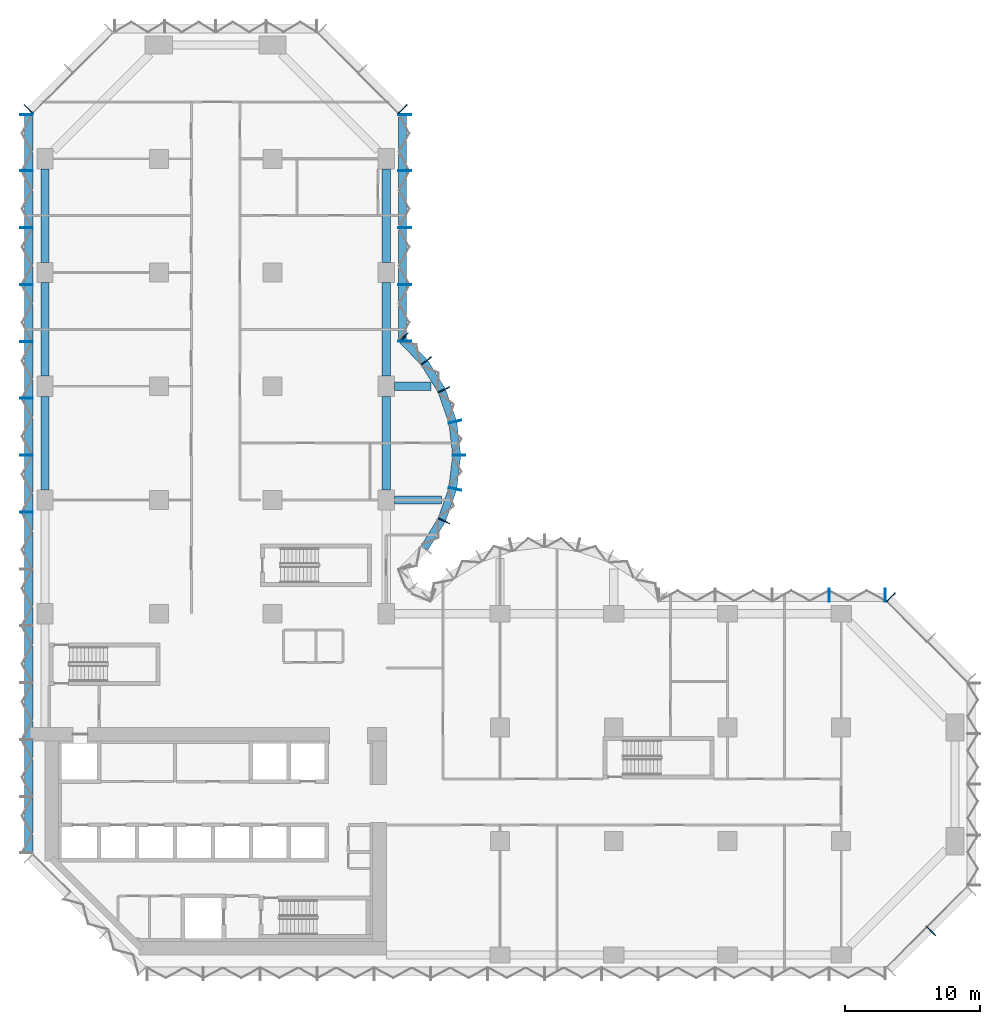
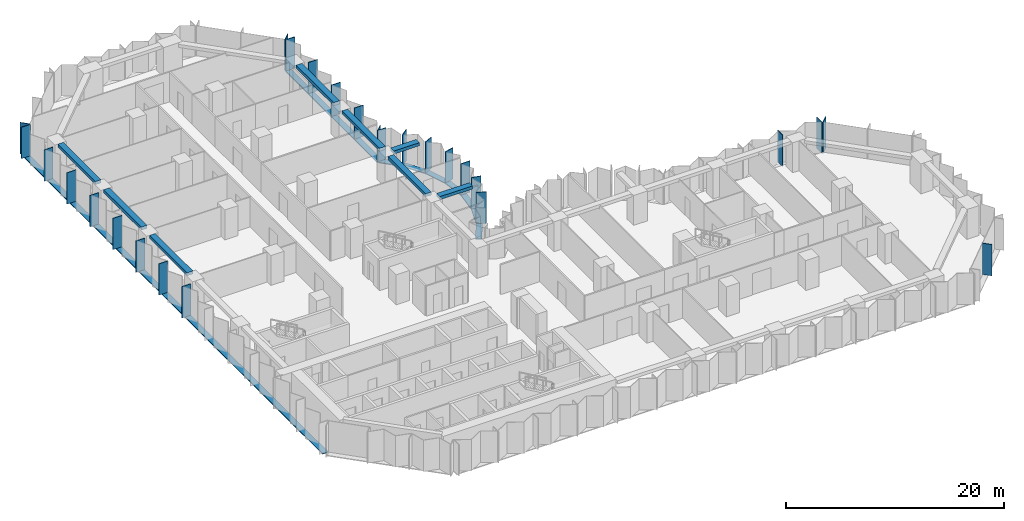
# One storey, part 3 of 15: 35 members, 8 beams, 8 elements without a shape of their own.
"""IFC4 building model written with IfcOpenShell, lengths in metres."""

import ifcopenshell
import ifcopenshell.guid

model = None  # the IFC model being written
_history = None  # IfcOwnerHistory: only IFC2X3 demands one
_inside = {}  # id of a spatial element -> (the spatial element, [elements in it])
_under = {}  # id of a project, library or spatial element -> (it, [spatial elements below it])
_declared = {}  # id of a project -> (the project, [libraries it declares])
_typed = {}  # id of a type object -> (the type object, [elements of that type])
_made_of = {}  # id of a material, layer set ... -> (it, [elements and type objects made of it])


def new_model(schema):
    """Start an empty IFC model of exactly this schema.

    Asked for "IFC4X3", IfcOpenShell would pick the latest addendum, in which some entities
    have other attributes; the version numbers below select the first issue.
    IFC2X3 requires an IfcOwnerHistory on every rooted entity: one is made here for all.
    """
    global model, _history
    if schema == "IFC4X3":
        model = ifcopenshell.file(schema_version=(4, 3, 0, 0))
    else:
        model = ifcopenshell.file(schema=schema)
    _inside.clear()
    _under.clear()
    _declared.clear()
    _typed.clear()
    _made_of.clear()
    _history = None
    if model.schema == "IFC2X3":
        org = make("IfcOrganization", Name="unknown")
        user = make(
            "IfcPersonAndOrganization",
            ThePerson=make("IfcPerson", FamilyName="unknown"),
            TheOrganization=org,
        )
        app = make(
            "IfcApplication",
            ApplicationDeveloper=org,
            Version="unknown",
            ApplicationFullName="unknown",
            ApplicationIdentifier="unknown",
        )
        _history = make(
            "IfcOwnerHistory",
            OwningUser=user,
            OwningApplication=app,
            ChangeAction="ADDED",
            CreationDate=0,
        )
    return model


def make(cls, **values):
    """One entity of the class cls with the attributes given. An attribute that is None is left unset."""
    return model.create_entity(
        cls, **{name: value for name, value in values.items() if value is not None}
    )


def rooted(cls, **values):
    """An entity with a GlobalId (a new one), such as an element, a storey or a relation."""
    return make(cls, GlobalId=ifcopenshell.guid.new(), OwnerHistory=_history, **values)


def si_unit(unit_type, name, prefix=None):
    """IfcSIUnit, for example si_unit("LENGTHUNIT", "METRE", prefix="MILLI")."""
    return make("IfcSIUnit", UnitType=unit_type, Prefix=prefix, Name=name)


def assignment(units):
    """IfcUnitAssignment: the units of a project."""
    return None if units is None else make("IfcUnitAssignment", Units=units)


def point(xyz):
    """IfcCartesianPoint."""
    return None if xyz is None else make("IfcCartesianPoint", Coordinates=xyz)


def direction(xyz):
    """IfcDirection."""
    return None if xyz is None else make("IfcDirection", DirectionRatios=xyz)


def frame(location, z_axis=None, x_axis=None):
    """IfcAxis2Placement3D, a coordinate frame: its origin and axes. An axis left out is left unset."""
    return make(
        "IfcAxis2Placement3D",
        Location=point(location),
        Axis=direction(z_axis),
        RefDirection=direction(x_axis),
    )


def frame_2d(location, x_axis=None):
    """IfcAxis2Placement2D, a coordinate frame in the plane: its origin and x axis."""
    return make(
        "IfcAxis2Placement2D", Location=point(location), RefDirection=direction(x_axis)
    )


def origin():
    """The frame at (0, 0, 0) with its axes left unset."""
    return frame((0.0, 0.0, 0.0))


def origin_2d():
    """The frame at (0, 0) in the plane with its x axis left unset."""
    return frame_2d((0.0, 0.0))


def place(relative_to, where):
    """IfcLocalPlacement: puts the frame where relative to a parent placement (None: the world)."""
    return make(
        "IfcLocalPlacement", PlacementRelTo=relative_to, RelativePlacement=where
    )


def context(
    kind, dimensions, precision=None, world=None, true_north=None, identifier=None
):
    """IfcGeometricRepresentationContext, for example the 3D "Model" context."""
    return make(
        "IfcGeometricRepresentationContext",
        ContextIdentifier=identifier,
        ContextType=kind,
        CoordinateSpaceDimension=dimensions,
        Precision=precision,
        WorldCoordinateSystem=world,
        TrueNorth=true_north,
    )


def subcontext(parent, identifier, kind, view, scale=None):
    """IfcGeometricRepresentationSubContext, for example "Body" below "Model"."""
    return make(
        "IfcGeometricRepresentationSubContext",
        ContextIdentifier=identifier,
        ContextType=kind,
        ParentContext=parent,
        TargetScale=scale,
        TargetView=view,
    )


def project(units=None, contexts=None):
    """IfcProject with its units and contexts."""
    return rooted(
        "IfcProject",
        Name="project",
        RepresentationContexts=contexts,
        UnitsInContext=assignment(units),
    )


def spatial(cls, under=None, at=None, **own):
    """A site, building, storey or space (cls), placed at a placement, below another one or the project."""
    s = rooted(cls, ObjectPlacement=at, **own)
    if under is not None:
        _under.setdefault(under.id(), (under, []))[1].append(s)
    return s


def profile(cls, at=None, kind="AREA", **sizes):
    """A parametric profile (cls). Its sizes go by their IFC names, for example OverallWidth=200.0."""
    return make(cls, ProfileType=kind, Position=at, **sizes)


def rectangle(**sizes):
    """IfcRectangleProfileDef."""
    return profile("IfcRectangleProfileDef", **sizes)


def extrude(swept, where, along, depth):
    """IfcExtrudedAreaSolid: the profile swept, set in the frame where, extruded along a direction by depth."""
    return make(
        "IfcExtrudedAreaSolid",
        SweptArea=swept,
        Position=where,
        ExtrudedDirection=direction(along),
        Depth=depth,
    )


def shape(context_of_items, identifier, shape_type, items):
    """IfcShapeRepresentation: the items that make up one representation, for example the "Body"."""
    return make(
        "IfcShapeRepresentation",
        ContextOfItems=context_of_items,
        RepresentationIdentifier=identifier,
        RepresentationType=shape_type,
        Items=items,
    )


def material(Name=None, Category=None):
    """IfcMaterial."""
    return make("IfcMaterial", Name=Name, Category=Category)


def material_profile(
    of_material, cross_section, Name=None, Category=None, Priority=None
):
    """IfcMaterialProfile: a cross section and its material."""
    return make(
        "IfcMaterialProfile",
        Name=Name,
        Material=of_material,
        Profile=cross_section,
        Priority=Priority,
        Category=Category,
    )


def profile_set(profiles, Name=None, composite=None):
    """IfcMaterialProfileSet."""
    return make(
        "IfcMaterialProfileSet",
        Name=Name,
        MaterialProfiles=profiles,
        CompositeProfile=composite,
    )


def made_of(thing, what):
    """Note that an element or type object is made of a material, layer set ...; save() writes the relation."""
    if what is not None:
        _made_of.setdefault(what.id(), (what, []))[1].append(thing)
    return thing


def type_object(cls, material=None, **own):
    """A type object (cls), such as IfcWallType, which elements share."""
    return made_of(rooted(cls, **own), material)


def element(
    cls,
    number,
    at=None,
    inside=None,
    cuts=None,
    type_object=None,
    material=None,
    context=None,
    identifier="Body",
    shape_type=None,
    held_by="IfcProductDefinitionShape",
    body=None,
    shapes=None,
    **own,
):
    """One element of the class cls, such as IfcWall. Its Tag is "e" and its number.

    at: its placement. inside: the storey or other place that contains it. cuts: it is an
    opening in that element (IfcRelVoidsElement). A single representation is given by context,
    identifier, shape_type and body (its items); several are given by shapes. held_by: the class
    of the entity that holds the representations. save() writes the other relations.
    """
    e = rooted(cls, Tag="e%d" % number, ObjectPlacement=at, **own)
    if body is not None:
        shapes = [shape(context, identifier, shape_type, body)]
    if shapes is not None:
        e.Representation = make(held_by, Representations=shapes)
    if inside is not None:
        _inside.setdefault(inside.id(), (inside, []))[1].append(e)
    if cuts is not None:
        rooted(
            "IfcRelVoidsElement", RelatingBuildingElement=cuts, RelatedOpeningElement=e
        )
    if type_object is not None:
        _typed.setdefault(type_object.id(), (type_object, []))[1].append(e)
    return made_of(e, material)


def aggregate(whole, parts):
    """IfcRelAggregates: a whole, such as a stair, and the parts it consists of."""
    return rooted("IfcRelAggregates", RelatingObject=whole, RelatedObjects=parts)


def save(model, path):
    """Write the relations noted so far, then the file.

    IfcRelAggregates (storeys below a building ...), IfcRelContainedInSpatialStructure (elements
    in a storey), IfcRelDefinesByType, IfcRelAssociatesMaterial and IfcRelDeclares: one each for
    every whole, place, type object, material and project.
    """
    for whole, parts in _under.values():
        aggregate(whole, parts)
    for where, things in _inside.values():
        rooted(
            "IfcRelContainedInSpatialStructure",
            RelatedElements=things,
            RelatingStructure=where,
        )
    for kind, things in _typed.values():
        rooted("IfcRelDefinesByType", RelatedObjects=things, RelatingType=kind)
    for what, things in _made_of.values():
        rooted("IfcRelAssociatesMaterial", RelatedObjects=things, RelatingMaterial=what)
    for by, libraries in _declared.values():
        rooted("IfcRelDeclares", RelatingContext=by, RelatedDefinitions=libraries)
    model.write(path)


model = new_model("IFC4")

# Units and contexts
model_context = context("Model", 3, precision=1e-05, world=origin(), true_north=direction((0.0, 1.0)))
body_context = subcontext(model_context, "Body", "Model", "MODEL_VIEW")
ifc_project = project(units=[si_unit("LENGTHUNIT", "METRE"), si_unit("AREAUNIT", "SQUARE_METRE"), si_unit("VOLUMEUNIT", "CUBIC_METRE"), si_unit("PLANEANGLEUNIT", "RADIAN"), si_unit("MASSUNIT", "GRAM", prefix="KILO")], contexts=[model_context])

# Site, building, storey
site_placement = place(None, origin())
site = spatial("IfcSite", under=ifc_project, at=site_placement, CompositionType="ELEMENT")
building_placement = place(site_placement, origin())
building = spatial("IfcBuilding", under=site, at=building_placement, Name="Brevane Broadcast Tower", CompositionType="ELEMENT")
storey_placement = place(building_placement, frame((0.0, 0.0, 76.10009765625)))
storey = spatial("IfcBuildingStorey", under=building, at=storey_placement, Name="L17", CompositionType="ELEMENT", Elevation=76.10009765625)

# Curtain wall, member
ifc_material_1 = material(Name="Aluminium 6063-T6 bronze anodised", Category="aluminium")
curtain_wall_type = type_object("IfcCurtainWallType", Name="CW-1 curtain wall", PredefinedType="NOTDEFINED", material=ifc_material_1)
curtain_wall_1_placement = place(storey_placement, origin())
curtain_wall_1 = element("IfcCurtainWall", 1, at=curtain_wall_1_placement, inside=storey, type_object=curtain_wall_type, Name="CW-1 typical tilted unit L17 south-east chamfer", PredefinedType="NOTDEFINED")
ifc_material_profile_1 = material_profile(ifc_material_1, rectangle(XDim=0.949951171875, YDim=0.070068359375, at=origin_2d()), Name="RECT 70x950")
ifc_profile_set_1 = profile_set([ifc_material_profile_1], Name="Aluminium 6063-T6 bronze anodised")
member_type_1 = type_object("IfcMemberType", Name="CW-1 mullion 70x950", PredefinedType="MULLION", material=ifc_profile_set_1)
member_1_placement = place(storey_placement, frame((65.435791015625, 1.76416015625, -0.150146484375), z_axis=(0.0, 0.0, 1.0), x_axis=(-0.707106781187, 0.707106781187, 0.0)))
member_1 = element("IfcMember", 2, at=member_1_placement, type_object=member_type_1, Name="CW-1 mullion", PredefinedType="MULLION", context=body_context, shape_type="SweptSolid", body=[
    extrude(rectangle(XDim=0.949951171875, YDim=0.070068359375, at=origin_2d()), origin(), (0.0, 0.0, 1.0), 3.5),
])
aggregate(curtain_wall_1, [member_1])

curtain_wall_2_placement = place(storey_placement, origin())
curtain_wall_2 = element("IfcCurtainWall", 3, at=curtain_wall_2_placement, inside=storey, type_object=curtain_wall_type, Name="CW-1 typical tilted unit L17 north-east chamfer", PredefinedType="NOTDEFINED")
member_2_placement = place(storey_placement, frame((62.460693359375, 26.4111328125, -0.150146484375), z_axis=(0.0, 0.0, 1.0), x_axis=(-0.707106781187, -0.707106781187, 0.0)))
member_2 = element("IfcMember", 4, at=member_2_placement, type_object=member_type_1, Name="CW-1 mullion", PredefinedType="MULLION", context=body_context, shape_type="SweptSolid", body=[
    extrude(rectangle(XDim=0.949951171875, YDim=0.070068359375, at=origin_2d()), origin(), (0.0, 0.0, 1.0), 3.5),
])
aggregate(curtain_wall_2, [member_2])

# Curtain wall, members
curtain_wall_3_placement = place(storey_placement, origin())
curtain_wall_3 = element("IfcCurtainWall", 5, at=curtain_wall_3_placement, inside=storey, type_object=curtain_wall_type, Name="CW-1 typical tilted unit L17 east arm north face", PredefinedType="NOTDEFINED")
member_3_placement = place(storey_placement, frame((62.06494140625, 26.574951171875, -0.150146484375), z_axis=(0.0, 0.0, 1.0), x_axis=(0.0, -1.0, 0.0)))
member_3 = element("IfcMember", 6, at=member_3_placement, type_object=member_type_1, Name="CW-1 mullion", PredefinedType="MULLION", context=body_context, shape_type="SweptSolid", body=[
    extrude(rectangle(XDim=0.949951171875, YDim=0.070068359375, at=origin_2d()), origin(), (0.0, 0.0, 1.0), 3.5),
])
member_4_placement = place(storey_placement, frame((57.89990234375, 26.574951171875, -0.150146484375), z_axis=(0.0, 0.0, 1.0), x_axis=(0.0, -1.0, 0.0)))
member_4 = element("IfcMember", 7, at=member_4_placement, type_object=member_type_1, Name="CW-1 mullion", PredefinedType="MULLION", context=body_context, shape_type="SweptSolid", body=[
    extrude(rectangle(XDim=0.949951171875, YDim=0.070068359375, at=origin_2d()), origin(), (0.0, 0.0, 1.0), 3.5),
])
aggregate(curtain_wall_3, [member_3, member_4])

curtain_wall_4_placement = place(storey_placement, origin())
curtain_wall_4 = element("IfcCurtainWall", 8, at=curtain_wall_4_placement, inside=storey, type_object=curtain_wall_type, Name="CW-1 typical tilted unit L17 north bow", PredefinedType="NOTDEFINED")
member_5_placement = place(storey_placement, frame((29.4580078125, 32.05322265625, -0.150146484375), z_axis=(0.0, 0.0, 1.0), x_axis=(-0.902860508933, 0.429933601163, 0.0)))
member_5 = element("IfcMember", 9, at=member_5_placement, type_object=member_type_1, Name="CW-1 mullion", PredefinedType="MULLION", context=body_context, shape_type="SweptSolid", body=[
    extrude(rectangle(XDim=0.949951171875, YDim=0.070068359375, at=origin_2d()), origin(), (0.0, 0.0, 1.0), 3.5),
])
member_6_placement = place(storey_placement, frame((30.28076171875, 34.411865234375, -0.150146484375), z_axis=(0.0, 0.0, 1.0), x_axis=(-0.974403430594, 0.224806482215, 0.0)))
member_6 = element("IfcMember", 10, at=member_6_placement, type_object=member_type_1, Name="CW-1 mullion", PredefinedType="MULLION", context=body_context, shape_type="SweptSolid", body=[
    extrude(rectangle(XDim=0.949951171875, YDim=0.070068359375, at=origin_2d()), origin(), (0.0, 0.0, 1.0), 3.5),
])
member_7_placement = place(storey_placement, frame((30.574951171875, 36.89990234375, -0.150146484375), z_axis=(0.0, 0.0, 1.0), x_axis=(-1.0, 0.0, 0.0)))
member_7 = element("IfcMember", 11, at=member_7_placement, type_object=member_type_1, Name="CW-1 mullion", PredefinedType="MULLION", context=body_context, shape_type="SweptSolid", body=[
    extrude(rectangle(XDim=0.949951171875, YDim=0.070068359375, at=origin_2d()), origin(), (0.0, 0.0, 1.0), 3.5),
])
member_8_placement = place(storey_placement, frame((30.28076171875, 39.38818359375, -0.150146484375), z_axis=(0.0, 0.0, 1.0), x_axis=(-0.974403430594, -0.224806482215, 0.0)))
member_8 = element("IfcMember", 12, at=member_8_placement, type_object=member_type_1, Name="CW-1 mullion", PredefinedType="MULLION", context=body_context, shape_type="SweptSolid", body=[
    extrude(rectangle(XDim=0.949951171875, YDim=0.070068359375, at=origin_2d()), origin(), (0.0, 0.0, 1.0), 3.5),
])
member_9_placement = place(storey_placement, frame((29.4580078125, 41.746826171875, -0.150146484375), z_axis=(0.0, 0.0, 1.0), x_axis=(-0.902860508933, -0.429933601163, 0.0)))
member_9 = element("IfcMember", 13, at=member_9_placement, type_object=member_type_1, Name="CW-1 mullion", PredefinedType="MULLION", context=body_context, shape_type="SweptSolid", body=[
    extrude(rectangle(XDim=0.949951171875, YDim=0.070068359375, at=origin_2d()), origin(), (0.0, 0.0, 1.0), 3.5),
])
member_10_placement = place(storey_placement, frame((28.1455078125, 43.8720703125, -0.150146484375), z_axis=(0.0, 0.0, 1.0), x_axis=(-0.788706642853, -0.614769738617, 0.0)))
member_10 = element("IfcMember", 14, at=member_10_placement, type_object=member_type_1, Name="CW-1 mullion", PredefinedType="MULLION", context=body_context, shape_type="SweptSolid", body=[
    extrude(rectangle(XDim=0.949951171875, YDim=0.070068359375, at=origin_2d()), origin(), (0.0, 0.0, 1.0), 3.5),
])
member_11_placement = place(storey_placement, frame((26.465087890625, 45.60595703125, -0.150146484375), z_axis=(0.0, 0.0, 1.0), x_axis=(-0.717253872699, -0.696811941702, 0.0)))
member_11 = element("IfcMember", 15, at=member_11_placement, type_object=member_type_1, Name="CW-1 mullion", PredefinedType="MULLION", context=body_context, shape_type="SweptSolid", body=[
    extrude(rectangle(XDim=0.949951171875, YDim=0.070068359375, at=origin_2d()), origin(), (0.0, 0.0, 1.0), 3.5),
])

curtain_wall_5_placement = place(storey_placement, origin())
curtain_wall_5 = element("IfcCurtainWall", 16, at=curtain_wall_5_placement, inside=storey, type_object=curtain_wall_type, Name="CW-1 typical tilted unit L17 north arm east face", PredefinedType="NOTDEFINED")
member_12_placement = place(storey_placement, frame((26.574951171875, 45.3349609375, -0.150146484375), z_axis=(0.0, 0.0, 1.0), x_axis=(-1.0, 0.0, 0.0)))
member_12 = element("IfcMember", 17, at=member_12_placement, type_object=member_type_1, Name="CW-1 mullion", PredefinedType="MULLION", context=body_context, shape_type="SweptSolid", body=[
    extrude(rectangle(XDim=0.949951171875, YDim=0.070068359375, at=origin_2d()), origin(), (0.0, 0.0, 1.0), 3.5),
])
member_13_placement = place(storey_placement, frame((26.574951171875, 49.5, -0.150146484375), z_axis=(0.0, 0.0, 1.0), x_axis=(-1.0, 0.0, 0.0)))
member_13 = element("IfcMember", 18, at=member_13_placement, type_object=member_type_1, Name="CW-1 mullion", PredefinedType="MULLION", context=body_context, shape_type="SweptSolid", body=[
    extrude(rectangle(XDim=0.949951171875, YDim=0.070068359375, at=origin_2d()), origin(), (0.0, 0.0, 1.0), 3.5),
])
member_14_placement = place(storey_placement, frame((26.574951171875, 53.699951171875, -0.150146484375), z_axis=(0.0, 0.0, 1.0), x_axis=(-1.0, 0.0, 0.0)))
member_14 = element("IfcMember", 19, at=member_14_placement, type_object=member_type_1, Name="CW-1 mullion", PredefinedType="MULLION", context=body_context, shape_type="SweptSolid", body=[
    extrude(rectangle(XDim=0.949951171875, YDim=0.070068359375, at=origin_2d()), origin(), (0.0, 0.0, 1.0), 3.5),
])
member_15_placement = place(storey_placement, frame((26.574951171875, 57.89990234375, -0.150146484375), z_axis=(0.0, 0.0, 1.0), x_axis=(-1.0, 0.0, 0.0)))
member_15 = element("IfcMember", 20, at=member_15_placement, type_object=member_type_1, Name="CW-1 mullion", PredefinedType="MULLION", context=body_context, shape_type="SweptSolid", body=[
    extrude(rectangle(XDim=0.949951171875, YDim=0.070068359375, at=origin_2d()), origin(), (0.0, 0.0, 1.0), 3.5),
])
member_16_placement = place(storey_placement, frame((26.574951171875, 62.06494140625, -0.150146484375), z_axis=(0.0, 0.0, 1.0), x_axis=(-1.0, 0.0, 0.0)))
member_16 = element("IfcMember", 21, at=member_16_placement, type_object=member_type_1, Name="CW-1 mullion", PredefinedType="MULLION", context=body_context, shape_type="SweptSolid", body=[
    extrude(rectangle(XDim=0.949951171875, YDim=0.070068359375, at=origin_2d()), origin(), (0.0, 0.0, 1.0), 3.5),
])

# Curtain wall, member
curtain_wall_6_placement = place(storey_placement, origin())
curtain_wall_6 = element("IfcCurtainWall", 22, at=curtain_wall_6_placement, inside=storey, type_object=curtain_wall_type, Name="CW-1 typical tilted unit L17 north arm north-east chamfer", PredefinedType="NOTDEFINED")
member_17_placement = place(storey_placement, frame((26.4111328125, 62.460693359375, -0.150146484375), z_axis=(0.0, 0.0, 1.0), x_axis=(-0.707106781187, -0.707106781187, 0.0)))
member_17 = element("IfcMember", 23, at=member_17_placement, type_object=member_type_1, Name="CW-1 mullion", PredefinedType="MULLION", context=body_context, shape_type="SweptSolid", body=[
    extrude(rectangle(XDim=0.949951171875, YDim=0.070068359375, at=origin_2d()), origin(), (0.0, 0.0, 1.0), 3.5),
])
aggregate(curtain_wall_6, [member_17])

curtain_wall_7_placement = place(storey_placement, origin())
curtain_wall_7 = element("IfcCurtainWall", 24, at=curtain_wall_7_placement, inside=storey, type_object=curtain_wall_type, Name="CW-1 typical tilted unit L17 north-west chamfer", PredefinedType="NOTDEFINED")
member_18_placement = place(storey_placement, frame((-1.211181640625, 62.460693359375, -0.150146484375), z_axis=(0.0, 0.0, 1.0), x_axis=(0.707106781187, -0.707106781187, 0.0)))
member_18 = element("IfcMember", 25, at=member_18_placement, type_object=member_type_1, Name="CW-1 mullion", PredefinedType="MULLION", context=body_context, shape_type="SweptSolid", body=[
    extrude(rectangle(XDim=0.949951171875, YDim=0.070068359375, at=origin_2d()), origin(), (0.0, 0.0, 1.0), 3.5),
])
aggregate(curtain_wall_7, [member_18])

# Curtain wall, members
curtain_wall_8_placement = place(storey_placement, origin())
curtain_wall_8 = element("IfcCurtainWall", 26, at=curtain_wall_8_placement, inside=storey, type_object=curtain_wall_type, Name="CW-1 typical tilted unit L17 west face", PredefinedType="NOTDEFINED")
member_19_placement = place(storey_placement, frame((-1.375, 62.06494140625, -0.150146484375), z_axis=(0.0, 0.0, 1.0), x_axis=(1.0, 0.0, 0.0)))
member_19 = element("IfcMember", 27, at=member_19_placement, type_object=member_type_1, Name="CW-1 mullion", PredefinedType="MULLION", context=body_context, shape_type="SweptSolid", body=[
    extrude(rectangle(XDim=0.949951171875, YDim=0.070068359375, at=origin_2d()), origin(), (0.0, 0.0, 1.0), 3.5),
])
member_20_placement = place(storey_placement, frame((-1.375, 57.89990234375, -0.150146484375), z_axis=(0.0, 0.0, 1.0), x_axis=(1.0, 0.0, 0.0)))
member_20 = element("IfcMember", 28, at=member_20_placement, type_object=member_type_1, Name="CW-1 mullion", PredefinedType="MULLION", context=body_context, shape_type="SweptSolid", body=[
    extrude(rectangle(XDim=0.949951171875, YDim=0.070068359375, at=origin_2d()), origin(), (0.0, 0.0, 1.0), 3.5),
])
member_21_placement = place(storey_placement, frame((-1.375, 53.699951171875, -0.150146484375), z_axis=(0.0, 0.0, 1.0), x_axis=(1.0, 0.0, 0.0)))
member_21 = element("IfcMember", 29, at=member_21_placement, type_object=member_type_1, Name="CW-1 mullion", PredefinedType="MULLION", context=body_context, shape_type="SweptSolid", body=[
    extrude(rectangle(XDim=0.949951171875, YDim=0.070068359375, at=origin_2d()), origin(), (0.0, 0.0, 1.0), 3.5),
])
member_22_placement = place(storey_placement, frame((-1.375, 49.5, -0.150146484375), z_axis=(0.0, 0.0, 1.0), x_axis=(1.0, 0.0, 0.0)))
member_22 = element("IfcMember", 30, at=member_22_placement, type_object=member_type_1, Name="CW-1 mullion", PredefinedType="MULLION", context=body_context, shape_type="SweptSolid", body=[
    extrude(rectangle(XDim=0.949951171875, YDim=0.070068359375, at=origin_2d()), origin(), (0.0, 0.0, 1.0), 3.5),
])
member_23_placement = place(storey_placement, frame((-1.375, 45.300048828125, -0.150146484375), z_axis=(0.0, 0.0, 1.0), x_axis=(1.0, 0.0, 0.0)))
member_23 = element("IfcMember", 31, at=member_23_placement, type_object=member_type_1, Name="CW-1 mullion", PredefinedType="MULLION", context=body_context, shape_type="SweptSolid", body=[
    extrude(rectangle(XDim=0.949951171875, YDim=0.070068359375, at=origin_2d()), origin(), (0.0, 0.0, 1.0), 3.5),
])
member_24_placement = place(storey_placement, frame((-1.375, 41.10009765625, -0.150146484375), z_axis=(0.0, 0.0, 1.0), x_axis=(1.0, 0.0, 0.0)))
member_24 = element("IfcMember", 32, at=member_24_placement, type_object=member_type_1, Name="CW-1 mullion", PredefinedType="MULLION", context=body_context, shape_type="SweptSolid", body=[
    extrude(rectangle(XDim=0.949951171875, YDim=0.070068359375, at=origin_2d()), origin(), (0.0, 0.0, 1.0), 3.5),
])
member_25_placement = place(storey_placement, frame((-1.375, 36.89990234375, -0.150146484375), z_axis=(0.0, 0.0, 1.0), x_axis=(1.0, 0.0, 0.0)))
member_25 = element("IfcMember", 33, at=member_25_placement, type_object=member_type_1, Name="CW-1 mullion", PredefinedType="MULLION", context=body_context, shape_type="SweptSolid", body=[
    extrude(rectangle(XDim=0.949951171875, YDim=0.070068359375, at=origin_2d()), origin(), (0.0, 0.0, 1.0), 3.5),
])
member_26_placement = place(storey_placement, frame((-1.375, 32.699951171875, -0.150146484375), z_axis=(0.0, 0.0, 1.0), x_axis=(1.0, 0.0, 0.0)))
member_26 = element("IfcMember", 34, at=member_26_placement, type_object=member_type_1, Name="CW-1 mullion", PredefinedType="MULLION", context=body_context, shape_type="SweptSolid", body=[
    extrude(rectangle(XDim=0.949951171875, YDim=0.070068359375, at=origin_2d()), origin(), (0.0, 0.0, 1.0), 3.5),
])

# Member
ifc_material_profile_2 = material_profile(ifc_material_1, rectangle(XDim=0.60009765625, YDim=0.10009765625, at=origin_2d()), Name="RECT 100x600")
ifc_profile_set_2 = profile_set([ifc_material_profile_2], Name="Aluminium 6063-T6 bronze anodised")
member_type_2 = type_object("IfcMemberType", Name="CW-1 transom 100x600", PredefinedType="USERDEFINED", material=ifc_profile_set_2)
member_27_placement = place(storey_placement, frame((28.023193359375, 30.0576171875, -0.2001953125), z_axis=(0.525427766759, 0.850838211365, 0.0), x_axis=(-0.850838211365, 0.525427766759, 0.0)))
member_27 = element("IfcMember", 35, at=member_27_placement, type_object=member_type_2, Name="CW-1 transom", ObjectType="TRANSOM", PredefinedType="USERDEFINED", context=body_context, shape_type="SweptSolid", body=[
    extrude(rectangle(XDim=0.60009765625, YDim=0.10009765625, at=origin_2d()), origin(), (0.0, 0.0, 1.0), 2.394775390625),
])

member_28_placement = place(storey_placement, frame((29.314208984375, 32.163818359375, -0.2001953125), z_axis=(0.329378497041, 0.944197969542, 0.0), x_axis=(-0.944197969542, 0.329378497041, 0.0)))
member_28 = element("IfcMember", 36, at=member_28_placement, type_object=member_type_2, Name="CW-1 transom", ObjectType="TRANSOM", PredefinedType="USERDEFINED", context=body_context, shape_type="SweptSolid", body=[
    extrude(rectangle(XDim=0.60009765625, YDim=0.10009765625, at=origin_2d()), origin(), (0.0, 0.0, 1.0), 2.394775390625),
])

member_29_placement = place(storey_placement, frame((30.117431640625, 34.499755859375, -0.2001953125), z_axis=(0.117603307202, 0.993060653805, 0.0), x_axis=(-0.993060653805, 0.117603307202, 0.0)))
member_29 = element("IfcMember", 37, at=member_29_placement, type_object=member_type_2, Name="CW-1 transom", ObjectType="TRANSOM", PredefinedType="USERDEFINED", context=body_context, shape_type="SweptSolid", body=[
    extrude(rectangle(XDim=0.60009765625, YDim=0.10009765625, at=origin_2d()), origin(), (0.0, 0.0, 1.0), 2.397705078125),
])

member_30_placement = place(storey_placement, frame((30.3994140625, 36.9189453125, -0.2001953125), z_axis=(-0.117591417, 0.993062061831, 0.0), x_axis=(-0.993062061831, -0.117591417, 0.0)))
member_30 = element("IfcMember", 38, at=member_30_placement, type_object=member_type_2, Name="CW-1 transom", ObjectType="TRANSOM", PredefinedType="USERDEFINED", context=body_context, shape_type="SweptSolid", body=[
    extrude(rectangle(XDim=0.60009765625, YDim=0.10009765625, at=origin_2d()), origin(), (0.0, 0.0, 1.0), 2.39794921875),
])

member_31_placement = place(storey_placement, frame((30.10302734375, 39.375, -0.2001953125), z_axis=(-0.329378497041, 0.944197969542, 0.0), x_axis=(-0.944197969542, -0.329378497041, 0.0)))
member_31 = element("IfcMember", 39, at=member_31_placement, type_object=member_type_2, Name="CW-1 transom", ObjectType="TRANSOM", PredefinedType="USERDEFINED", context=body_context, shape_type="SweptSolid", body=[
    extrude(rectangle(XDim=0.60009765625, YDim=0.10009765625, at=origin_2d()), origin(), (0.0, 0.0, 1.0), 2.394775390625),
])

member_32_placement = place(storey_placement, frame((29.281494140625, 41.704833984375, -0.2001953125), z_axis=(-0.525473345162, 0.850810063131, 0.0), x_axis=(-0.850810063131, -0.525473345162, 0.0)))
member_32 = element("IfcMember", 40, at=member_32_placement, type_object=member_type_2, Name="CW-1 transom", ObjectType="TRANSOM", PredefinedType="USERDEFINED", context=body_context, shape_type="SweptSolid", body=[
    extrude(rectangle(XDim=0.60009765625, YDim=0.10009765625, at=origin_2d()), origin(), (0.0, 0.0, 1.0), 2.39453125),
])

member_33_placement = place(storey_placement, frame((27.974365234375, 43.800537109375, -0.2001953125), z_axis=(-0.696823999134, 0.71724215871, 0.0), x_axis=(-0.71724215871, -0.696823999134, 0.0)))
member_33 = element("IfcMember", 41, at=member_33_placement, type_object=member_type_2, Name="CW-1 transom", ObjectType="TRANSOM", PredefinedType="USERDEFINED", context=body_context, shape_type="SweptSolid", body=[
    extrude(rectangle(XDim=0.60009765625, YDim=0.10009765625, at=origin_2d()), origin(), (0.0, 0.0, 1.0), 2.247802734375),
])

aggregate(curtain_wall_4, [member_5, member_6, member_7, member_8, member_9, member_10, member_11, member_27, member_28, member_29, member_30, member_31, member_32, member_33])

member_34_placement = place(storey_placement, frame((26.39990234375, 45.300048828125, -0.2001953125), z_axis=(0.0, 1.0, 0.0), x_axis=(-1.0, 0.0, 0.0)))
member_34 = element("IfcMember", 42, at=member_34_placement, type_object=member_type_2, Name="CW-1 transom", ObjectType="TRANSOM", PredefinedType="USERDEFINED", context=body_context, shape_type="SweptSolid", body=[
    extrude(rectangle(XDim=0.60009765625, YDim=0.10009765625, at=origin_2d()), origin(), (0.0, 0.0, 1.0), 16.800048828125),
])

aggregate(curtain_wall_5, [member_12, member_13, member_14, member_15, member_16, member_34])

member_35_placement = place(storey_placement, frame((-1.199951171875, 62.10009765625, -0.2001953125), z_axis=(0.0, -1.0, 0.0), x_axis=(1.0, 0.0, 0.0)))
member_35 = element("IfcMember", 43, at=member_35_placement, type_object=member_type_2, Name="CW-1 transom", ObjectType="TRANSOM", PredefinedType="USERDEFINED", context=body_context, shape_type="SweptSolid", body=[
    extrude(rectangle(XDim=0.60009765625, YDim=0.10009765625, at=origin_2d()), origin(), (0.0, 0.0, 1.0), 54.60009765625),
])

aggregate(curtain_wall_8, [member_19, member_20, member_21, member_22, member_23, member_24, member_25, member_26, member_35])

# Beams
ifc_material_2 = material(Name="Concrete C40/50", Category="concrete")
ifc_material_profile_3 = material_profile(ifc_material_2, rectangle(XDim=0.60009765625, YDim=0.35009765625, at=origin_2d()), Name="RC 600x350")
ifc_profile_set_3 = profile_set([ifc_material_profile_3], Name="Concrete C40/50")
beam_type_1 = type_object("IfcBeamType", Name="RC BRACKET BEAM 600x350 C40/50", PredefinedType="BEAM", material=ifc_profile_set_3)
beam_1_placement = place(storey_placement, frame((25.800048828125, 33.60009765625, 3.1748046875), z_axis=(1.0, 0.0, 0.0), x_axis=(0.0, 1.0, 0.0)))
element("IfcBeam", 44, at=beam_1_placement, inside=storey, type_object=beam_type_1, Name="EB2 L17-1", PredefinedType="BEAM", context=body_context, shape_type="SweptSolid", body=[
    extrude(rectangle(XDim=0.60009765625, YDim=0.35009765625, at=origin_2d()), origin(), (0.0, 0.0, 1.0), 3.4619140625),
])
beam_2_placement = place(storey_placement, frame((25.800048828125, 42.0, 3.1748046875), z_axis=(1.0, 0.0, 0.0), x_axis=(0.0, 1.0, 0.0)))
element("IfcBeam", 45, at=beam_2_placement, inside=storey, type_object=beam_type_1, Name="EB2 L17-2", PredefinedType="BEAM", context=body_context, shape_type="SweptSolid", body=[
    extrude(rectangle(XDim=0.60009765625, YDim=0.35009765625, at=origin_2d()), origin(), (0.0, 0.0, 1.0), 2.71142578125),
])
ifc_material_profile_4 = material_profile(ifc_material_2, rectangle(XDim=0.60009765625, YDim=0.35009765625, at=origin_2d()), Name="RC 600x350")
ifc_profile_set_4 = profile_set([ifc_material_profile_4], Name="Concrete C40/50")
beam_type_2 = type_object("IfcBeamType", Name="RC SPANDREL BEAM 600x350 C40/50", PredefinedType="SPANDREL", material=ifc_profile_set_4)
for number, where, z_axis, x_axis, name in (
    (46, (25.199951171875, 34.35009765625, 3.1748046875), (0.0, 1.0, 0.0), (-1.0, 0.0, 0.0), "EB1 L17-13"),
    (47, (25.199951171875, 42.75, 3.1748046875), (0.0, 1.0, 0.0), (-1.0, 0.0, 0.0), "EB1 L17-14"),
):
    element("IfcBeam", number, at=place(storey_placement, frame(where, z_axis=z_axis, x_axis=x_axis)), inside=storey, type_object=beam_type_2, Name=name, PredefinedType="SPANDREL", context=body_context, shape_type="SweptSolid", body=[
        extrude(rectangle(XDim=0.60009765625, YDim=0.35009765625, at=origin_2d()), origin(), (0.0, 0.0, 1.0), 6.89990234375),
    ])
for number, where, z_axis, x_axis, name in (
    (48, (25.199951171875, 51.14990234375, 3.1748046875), (0.0, 1.0, 0.0), (-1.0, 0.0, 0.0), "EB1 L17-15"),
    (49, (0.0, 58.050048828125, 3.1748046875), (0.0, -1.0, 0.0), (1.0, 0.0, 0.0), "EB1 L17-19"),
):
    element("IfcBeam", number, at=place(storey_placement, frame(where, z_axis=z_axis, x_axis=x_axis)), inside=storey, type_object=beam_type_2, Name=name, PredefinedType="SPANDREL", context=body_context, shape_type="SweptSolid", body=[
        extrude(rectangle(XDim=0.60009765625, YDim=0.35009765625, at=origin_2d()), origin(), (0.0, 0.0, 1.0), 6.900146484375),
    ])
for number, where, z_axis, x_axis, name in (
    (50, (0.0, 49.64990234375, 3.1748046875), (0.0, -1.0, 0.0), (1.0, 0.0, 0.0), "EB1 L17-20"),
    (51, (0.0, 41.25, 3.1748046875), (0.0, -1.0, 0.0), (1.0, 0.0, 0.0), "EB1 L17-21"),
):
    element("IfcBeam", number, at=place(storey_placement, frame(where, z_axis=z_axis, x_axis=x_axis)), inside=storey, type_object=beam_type_2, Name=name, PredefinedType="SPANDREL", context=body_context, shape_type="SweptSolid", body=[
        extrude(rectangle(XDim=0.60009765625, YDim=0.35009765625, at=origin_2d()), origin(), (0.0, 0.0, 1.0), 6.89990234375),
    ])

save(model, "model.ifc")
